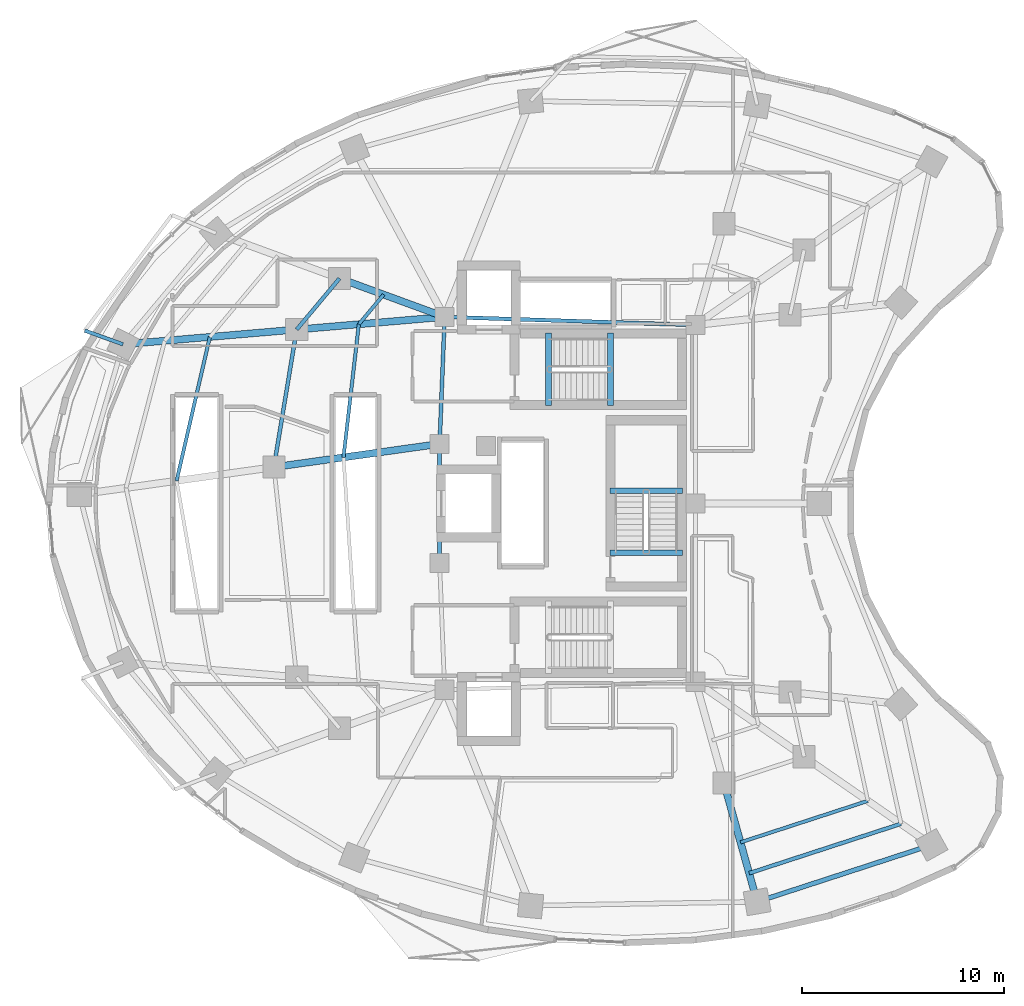
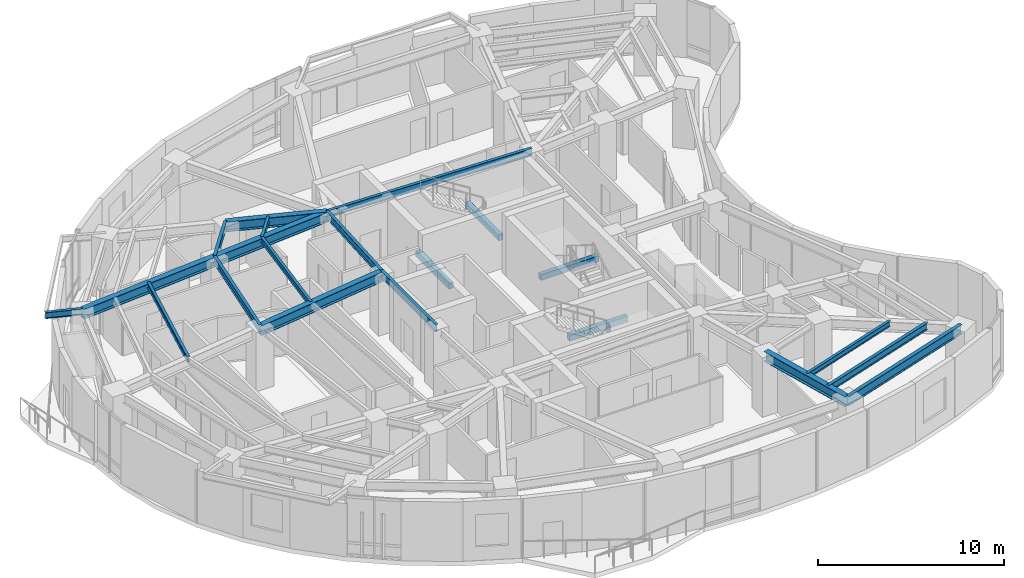
# One storey, part 3 of 15: 21 beams.
"""IFC4 building model written with IfcOpenShell, lengths in metres."""

from ifc_helpers import new_model, si_unit, direction, frame, origin, origin_2d, place, context, subcontext, project, spatial, rectangle, i_section, extrude, material, material_profile, profile_set, type_object, element, save


model = new_model("IFC4")

# Units and contexts
model_context = context("Model", 3, precision=1e-05, world=origin(), true_north=direction((0.0, 1.0)))
body_context = subcontext(model_context, "Body", "Model", "MODEL_VIEW")
ifc_project = project(units=[si_unit("LENGTHUNIT", "METRE"), si_unit("AREAUNIT", "SQUARE_METRE"), si_unit("VOLUMEUNIT", "CUBIC_METRE"), si_unit("PLANEANGLEUNIT", "RADIAN"), si_unit("MASSUNIT", "GRAM", prefix="KILO")], contexts=[model_context])

# Site, building, storey
site_placement = place(None, origin())
site = spatial("IfcSite", under=ifc_project, at=site_placement, CompositionType="ELEMENT")
building_placement = place(site_placement, origin())
building = spatial("IfcBuilding", under=site, at=building_placement, Name="Korentha Bioscience Tower", CompositionType="ELEMENT")
storey_placement = place(building_placement, frame((0.0, 0.0, 127.800048828125)))
storey = spatial("IfcBuildingStorey", under=building, at=storey_placement, Name="L29", CompositionType="ELEMENT", Elevation=127.800048828125)

# Beams
ifc_material_1 = material(Name="Concrete C50", Category="concrete")
ifc_material_profile_1 = material_profile(ifc_material_1, rectangle(XDim=0.280029296875, YDim=0.3798828125, at=origin_2d()), Name="Concrete C50")
ifc_profile_set_1 = profile_set([ifc_material_profile_1], Name="Concrete C50 (ST-HB380)")
beam_type_1 = type_object("IfcBeamType", Name="Concrete Stair Header Beam RC 280x380", PredefinedType="BEAM", material=ifc_profile_set_1)
for number, where, z_axis, x_axis, name in (
    (1, (30.25, 31.85009765625, -0.18994140625), (0.0, 1.0, 0.0), (-1.0, 0.0, 0.0), "L29 ST-1 Concrete Stair Header Beam"),
    (2, (33.330078125, 31.85009765625, 1.909912109375), (0.0, 1.0, 0.0), (-1.0, 0.0, 0.0), "L29 ST-1 Half-Landing Header Beam 1"),
    (3, (36.89990234375, 24.550048828125, -0.18994140625), (-1.0, 0.0, 0.0), (0.0, -1.0, 0.0), "L29 ST-3 Concrete Stair Header Beam"),
    (4, (36.89990234375, 27.6298828125, 1.909912109375), (-1.0, 0.0, 0.0), (0.0, -1.0, 0.0), "L29 ST-3 Half-Landing Header Beam 1"),
):
    element("IfcBeam", number, at=place(storey_placement, frame(where, z_axis=z_axis, x_axis=x_axis)), inside=storey, type_object=beam_type_1, Name=name, PredefinedType="BEAM", context=body_context, shape_type="SweptSolid", body=[
        extrude(rectangle(XDim=0.280029296875, YDim=0.3798828125, at=origin_2d()), origin(), (0.0, 0.0, 1.0), 3.599853515625),
    ])
ifc_material_2 = material(Name="Steel S355", Category="steel")
ifc_material_profile_2 = material_profile(ifc_material_2, i_section(OverallWidth=0.18994140625, OverallDepth=0.45703125, WebThickness=0.009033203125, FlangeThickness=0.014404296875, at=origin_2d()), Name="Steel S355")
ifc_profile_set_2 = profile_set([ifc_material_profile_2], Name="Steel S355 (MB-460)")
beam_type_2 = type_object("IfcBeamType", Name="Mid-Ring Tie Girder W460x74", PredefinedType="BEAM", material=ifc_profile_set_2)
beam_1_placement = place(storey_placement, frame((19.882568359375, 38.158935546875, 3.67138671875), z_axis=(-0.642121371708, -0.766602989817, 0.0), x_axis=(0.766602989817, -0.642121371708, 0.0)))
element("IfcBeam", 5, at=beam_1_placement, inside=storey, type_object=beam_type_2, Name="L29 Mid-Ring Tie Girder 05", PredefinedType="BEAM", context=body_context, shape_type="SweptSolid", body=[
    extrude(i_section(OverallWidth=0.18994140625, OverallDepth=0.45703125, WebThickness=0.009033203125, FlangeThickness=0.014404296875, at=origin_2d()), origin(), (0.0, 0.0, 1.0), 3.306640625),
])
beam_2_placement = place(storey_placement, frame((17.75927734375, 35.6240234375, 3.67138671875), z_axis=(-0.163580878592, -0.986529926641, 0.0), x_axis=(0.986529926641, -0.163580878592, 0.0)))
element("IfcBeam", 6, at=beam_2_placement, inside=storey, type_object=beam_type_2, Name="L29 Mid-Ring Tie Girder 06", PredefinedType="BEAM", context=body_context, shape_type="SweptSolid", body=[
    extrude(i_section(OverallWidth=0.18994140625, OverallDepth=0.45703125, WebThickness=0.009033203125, FlangeThickness=0.014404296875, at=origin_2d()), origin(), (0.0, 0.0, 1.0), 6.920654296875),
])
beam_3_placement = place(storey_placement, frame((37.550048828125, 35.85009765625, 3.67138671875), z_axis=(-0.999484526071, 0.032104238723, 0.0), x_axis=(-0.032104238723, -0.999484526071, 0.0)))
element("IfcBeam", 7, at=beam_3_placement, inside=storey, type_object=beam_type_2, Name="L29 Core Ring Tie Girder 01", PredefinedType="BEAM", context=body_context, shape_type="SweptSolid", body=[
    extrude(i_section(OverallWidth=0.18994140625, OverallDepth=0.45703125, WebThickness=0.009033203125, FlangeThickness=0.014404296875, at=origin_2d()), origin(), (0.0, 0.0, 1.0), 12.456298828125),
])
beam_4_placement = place(storey_placement, frame((25.10009765625, 36.25, 3.67138671875), z_axis=(-0.039651025576, -0.999213588864, 0.0), x_axis=(0.999213588864, -0.039651025576, 0.0)))
element("IfcBeam", 8, at=beam_4_placement, inside=storey, type_object=beam_type_2, Name="L29 Core Ring Tie Girder 02", PredefinedType="BEAM", context=body_context, shape_type="SweptSolid", body=[
    extrude(i_section(OverallWidth=0.18994140625, OverallDepth=0.45703125, WebThickness=0.009033203125, FlangeThickness=0.014404296875, at=origin_2d()), origin(), (0.0, 0.0, 1.0), 6.304931640625),
])
beam_5_placement = place(storey_placement, frame((24.85009765625, 29.949951171875, 3.67138671875), z_axis=(0.0, -1.0, 0.0), x_axis=(1.0, 0.0, 0.0)))
element("IfcBeam", 9, at=beam_5_placement, inside=storey, type_object=beam_type_2, Name="L29 Core Ring Tie Girder 03", PredefinedType="BEAM", context=body_context, shape_type="SweptSolid", body=[
    extrude(i_section(OverallWidth=0.18994140625, OverallDepth=0.45703125, WebThickness=0.009033203125, FlangeThickness=0.014404296875, at=origin_2d()), origin(), (0.0, 0.0, 1.0), 5.89990234375),
])
ifc_material_profile_3 = material_profile(ifc_material_2, i_section(OverallWidth=0.22802734375, OverallDepth=0.60791015625, WebThickness=0.01123046875, FlangeThickness=0.017333984375, at=origin_2d()), Name="Steel S355")
ifc_profile_set_3 = profile_set([ifc_material_profile_3], Name="Steel S355 (SB-610)")
beam_type_3 = type_object("IfcBeamType", Name="Perimeter Ring Spandrel Girder W610x113", PredefinedType="SPANDREL", material=ifc_profile_set_3)
beam_6_placement = place(storey_placement, frame((40.604248046875, 7.235107421875, 3.595947265625), z_axis=(0.950867758759, 0.309597327755, 0.0), x_axis=(-0.309597327755, 0.950867758759, 0.0)))
element("IfcBeam", 10, at=beam_6_placement, inside=storey, type_object=beam_type_3, Name="L29 Perimeter Spandrel Girder 12", PredefinedType="SPANDREL", context=body_context, shape_type="SweptSolid", body=[
    extrude(i_section(OverallWidth=0.22802734375, OverallDepth=0.60791015625, WebThickness=0.01123046875, FlangeThickness=0.017333984375, at=origin_2d()), origin(), (0.0, 0.0, 1.0), 9.101806640625),
])
ifc_material_profile_4 = material_profile(ifc_material_2, i_section(OverallWidth=0.18994140625, OverallDepth=0.45703125, WebThickness=0.009033203125, FlangeThickness=0.014404296875, at=origin_2d()), Name="Steel S355")
ifc_profile_set_4 = profile_set([ifc_material_profile_4], Name="Steel S355 (RB-460)")
beam_type_4 = type_object("IfcBeamType", Name="Radial Laboratory Beam W460x74", PredefinedType="BEAM", material=ifc_profile_set_4)
beam_7_placement = place(storey_placement, frame((40.20849609375, 8.64990234375, 3.67138671875), z_axis=(0.950866789802, 0.3096003037, 0.0), x_axis=(-0.3096003037, 0.950866789802, 0.0)))
element("IfcBeam", 11, at=beam_7_placement, inside=storey, type_object=beam_type_4, Name="L29 Secondary Floor Beam JSTO-12", PredefinedType="BEAM", context=body_context, shape_type="SweptSolid", body=[
    extrude(i_section(OverallWidth=0.18994140625, OverallDepth=0.45703125, WebThickness=0.009033203125, FlangeThickness=0.014404296875, at=origin_2d()), origin(), (0.0, 0.0, 1.0), 7.921875),
])
ifc_material_profile_5 = material_profile(ifc_material_2, i_section(OverallWidth=0.35009765625, OverallDepth=0.64990234375, WebThickness=0.01611328125, FlangeThickness=0.02490234375, at=origin_2d()), Name="Steel S355")
ifc_profile_set_5 = profile_set([ifc_material_profile_5], Name="Steel S355 (RB-650)")
beam_type_5 = type_object("IfcBeamType", Name="Radial Laboratory Girder CVS 650x208", PredefinedType="BEAM", material=ifc_profile_set_5)
beam_8_placement = place(storey_placement, frame((25.10009765625, 36.25, 3.574951171875), z_axis=(-0.939118010396, 0.343594765022, 0.0), x_axis=(-0.343594765022, -0.939118010396, 0.0)))
element("IfcBeam", 12, at=beam_8_placement, inside=storey, type_object=beam_type_5, Name="L29 Inner Radial Girder 05", PredefinedType="BEAM", context=body_context, shape_type="SweptSolid", body=[
    extrude(i_section(OverallWidth=0.35009765625, OverallDepth=0.64990234375, WebThickness=0.01611328125, FlangeThickness=0.02490234375, at=origin_2d()), origin(), (0.0, 0.0, 1.0), 5.5556640625),
])
beam_9_placement = place(storey_placement, frame((25.10009765625, 36.25, 3.574951171875), z_axis=(-0.996383934197, -0.084965026183, 0.0), x_axis=(0.084965026183, -0.996383934197, 0.0)))
element("IfcBeam", 13, at=beam_9_placement, inside=storey, type_object=beam_type_5, Name="L29 Inner Radial Girder 06", PredefinedType="BEAM", context=body_context, shape_type="SweptSolid", body=[
    extrude(i_section(OverallWidth=0.35009765625, OverallDepth=0.64990234375, WebThickness=0.01611328125, FlangeThickness=0.02490234375, at=origin_2d()), origin(), (0.0, 0.0, 1.0), 7.367431640625),
])
beam_10_placement = place(storey_placement, frame((17.75927734375, 35.6240234375, 3.574951171875), z_axis=(-0.996386071548, -0.084939957767, 0.0), x_axis=(0.084939957767, -0.996386071548, 0.0)))
element("IfcBeam", 14, at=beam_10_placement, inside=storey, type_object=beam_type_5, Name="L29 Outer Radial Girder 06", PredefinedType="BEAM", context=body_context, shape_type="SweptSolid", body=[
    extrude(i_section(OverallWidth=0.35009765625, OverallDepth=0.64990234375, WebThickness=0.01611328125, FlangeThickness=0.02490234375, at=origin_2d()), origin(), (0.0, 0.0, 1.0), 8.648681640625),
])
beam_11_placement = place(storey_placement, frame((24.85009765625, 29.949951171875, 3.574951171875), z_axis=(-0.990306752817, -0.13889757134, 0.0), x_axis=(0.13889757134, -0.990306752817, 0.0)))
element("IfcBeam", 15, at=beam_11_placement, inside=storey, type_object=beam_type_5, Name="L29 Inner Radial Girder 07", PredefinedType="BEAM", context=body_context, shape_type="SweptSolid", body=[
    extrude(i_section(OverallWidth=0.35009765625, OverallDepth=0.64990234375, WebThickness=0.01611328125, FlangeThickness=0.02490234375, at=origin_2d()), origin(), (0.0, 0.0, 1.0), 8.303466796875),
])
beam_12_placement = place(storey_placement, frame((38.954833984375, 13.129150390625, 3.574951171875), z_axis=(0.269490843458, -0.963002951861, 0.0), x_axis=(0.963002951861, 0.269490843458, 0.0)))
element("IfcBeam", 16, at=beam_12_placement, inside=storey, type_object=beam_type_5, Name="L29 Outer Radial Girder 12", PredefinedType="BEAM", context=body_context, shape_type="SweptSolid", body=[
    extrude(i_section(OverallWidth=0.35009765625, OverallDepth=0.64990234375, WebThickness=0.01611328125, FlangeThickness=0.02490234375, at=origin_2d()), origin(), (0.0, 0.0, 1.0), 6.120361328125),
])
ifc_material_profile_6 = material_profile(ifc_material_2, i_section(OverallWidth=0.1708984375, OverallDepth=0.35498046875, WebThickness=0.007080078125, FlangeThickness=0.01171875, at=origin_2d()), Name="Steel S355")
ifc_profile_set_6 = profile_set([ifc_material_profile_6], Name="Steel S355 (JB-360)")
beam_type_6 = type_object("IfcBeamType", Name="Secondary Laboratory Joist W360x51", PredefinedType="JOIST", material=ifc_profile_set_6)
beam_13_placement = place(storey_placement, frame((22.073974609375, 37.357177734375, 3.722412109375), z_axis=(-0.64218549873, -0.766549271229, 0.0), x_axis=(0.766549271229, -0.64218549873, 0.0)))
element("IfcBeam", 17, at=beam_13_placement, inside=storey, type_object=beam_type_6, Name="L29 Inner Bay Joist 05", PredefinedType="JOIST", context=body_context, shape_type="SweptSolid", body=[
    extrude(i_section(OverallWidth=0.1708984375, OverallDepth=0.35498046875, WebThickness=0.007080078125, FlangeThickness=0.01171875, at=origin_2d()), origin(), (0.0, 0.0, 1.0), 1.91796875),
])
beam_14_placement = place(storey_placement, frame((13.450439453125, 35.256591796875, 3.722412109375), z_axis=(-0.225236780605, -0.974304055551, 0.0), x_axis=(0.974304055551, -0.225236780605, 0.0)))
element("IfcBeam", 18, at=beam_14_placement, inside=storey, type_object=beam_type_6, Name="L29 Secondary Floor Beam JST-06", PredefinedType="JOIST", context=body_context, shape_type="SweptSolid", body=[
    extrude(i_section(OverallWidth=0.1708984375, OverallDepth=0.35498046875, WebThickness=0.007080078125, FlangeThickness=0.01171875, at=origin_2d()), origin(), (0.0, 0.0, 1.0), 7.3251953125),
])
beam_15_placement = place(storey_placement, frame((20.84228515625, 35.886962890625, 3.722412109375), z_axis=(-0.114512623722, -0.993421793101, 0.0), x_axis=(0.993421793101, -0.114512623722, 0.0)))
element("IfcBeam", 19, at=beam_15_placement, inside=storey, type_object=beam_type_6, Name="L29 Inner Bay Joist 06", PredefinedType="JOIST", context=body_context, shape_type="SweptSolid", body=[
    extrude(i_section(OverallWidth=0.1708984375, OverallDepth=0.35498046875, WebThickness=0.007080078125, FlangeThickness=0.01171875, at=origin_2d()), origin(), (0.0, 0.0, 1.0), 6.649658203125),
])
beam_16_placement = place(storey_placement, frame((39.779541015625, 10.18212890625, 3.722412109375), z_axis=(0.950864890997, 0.309606135387, 0.0), x_axis=(-0.309606135387, 0.950864890997, 0.0)))
element("IfcBeam", 20, at=beam_16_placement, inside=storey, type_object=beam_type_6, Name="L29 Secondary Floor Beam JST-12", PredefinedType="JOIST", context=body_context, shape_type="SweptSolid", body=[
    extrude(i_section(OverallWidth=0.1708984375, OverallDepth=0.35498046875, WebThickness=0.007080078125, FlangeThickness=0.01171875, at=origin_2d()), origin(), (0.0, 0.0, 1.0), 6.644287109375),
])
ifc_material_profile_7 = material_profile(ifc_material_2, i_section(OverallWidth=0.177978515625, OverallDepth=0.406982421875, WebThickness=0.0078125, FlangeThickness=0.0126953125, at=origin_2d()), Name="Steel S355")
ifc_profile_set_7 = profile_set([ifc_material_profile_7], Name="Steel S355 (CB-410)")
beam_type_7 = type_object("IfcBeamType", Name="Sun-Ledge Cantilever Beam W410x60", PredefinedType="BEAM", material=ifc_profile_set_7)
beam_17_placement = place(storey_placement, frame((9.141845703125, 34.889404296875, 3.698486328125), z_axis=(-0.940653882129, 0.339367461662, 0.0), x_axis=(-0.339367461662, -0.940653882129, 0.0)))
element("IfcBeam", 21, at=beam_17_placement, inside=storey, type_object=beam_type_7, Name="L29 Balcony Cantilever Bracket B-L30-02", PredefinedType="BEAM", context=body_context, shape_type="SweptSolid", body=[
    extrude(i_section(OverallWidth=0.177978515625, OverallDepth=0.406982421875, WebThickness=0.0078125, FlangeThickness=0.0126953125, at=origin_2d()), origin(), (0.0, 0.0, 1.0), 2.014404296875),
])

save(model, "model.ifc")
